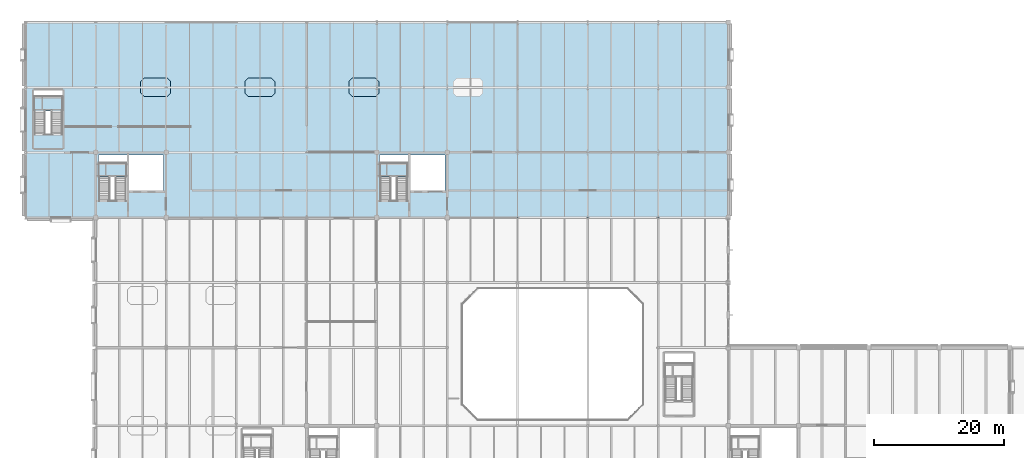
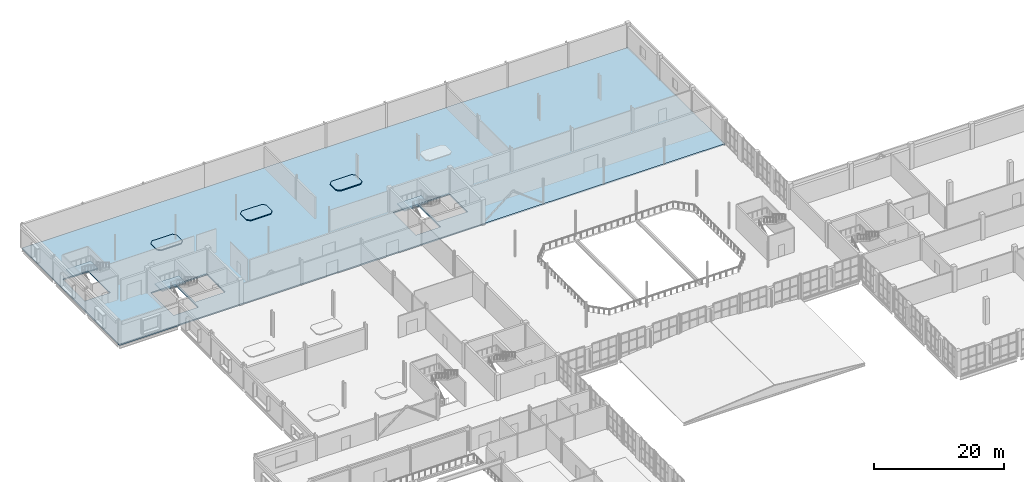
# One storey, part 61 of 92: 7 slabs, 3 elements without a shape of their own.
"""IFC4 building model written with IfcOpenShell, lengths in metres."""

from ifc_helpers import new_model, si_unit, direction, frame, origin, place, context, subcontext, project, spatial, polyline, outline, extrude, material, layer, layer_set, type_object, element, aggregate, save


model = new_model("IFC4")

# Units and contexts
model_context = context("Model", 3, precision=1e-05, world=origin(), true_north=direction((0.0, 1.0)))
body_context = subcontext(model_context, "Body", "Model", "MODEL_VIEW")
ifc_project = project(units=[si_unit("LENGTHUNIT", "METRE"), si_unit("AREAUNIT", "SQUARE_METRE"), si_unit("VOLUMEUNIT", "CUBIC_METRE"), si_unit("PLANEANGLEUNIT", "RADIAN"), si_unit("MASSUNIT", "GRAM", prefix="KILO")], contexts=[model_context])

# Site, building, storey
site_placement = place(None, origin())
site = spatial("IfcSite", under=ifc_project, at=site_placement, CompositionType="ELEMENT")
building_placement = place(site_placement, origin())
building = spatial("IfcBuilding", under=site, at=building_placement, Name="Tasgan Crest Museum", CompositionType="ELEMENT")
storey_placement = place(building_placement, frame((0.0, 0.0, 4.800048828125)))
storey = spatial("IfcBuildingStorey", under=building, at=storey_placement, Name="L01", CompositionType="ELEMENT", Elevation=4.800048828125)

# Slabs
ifc_material_1 = material(Name="Concrete C35/45", Category="concrete")
ifc_layer_1 = layer(ifc_material_1, 0.159912109375, Name="SL-DAIS-T03")
ifc_layer_set_1 = layer_set([ifc_layer_1], Name="Concrete C35/45")
slab_type_1 = type_object("IfcSlabType", Name="SL-DAIS-T03", PredefinedType="FLOOR", material=ifc_layer_set_1)
slab_1_placement = place(storey_placement, origin())
element("IfcSlab", 1, at=slab_1_placement, inside=storey, type_object=slab_type_1, Name="Exhibition specimen dais L01-13", PredefinedType="FLOOR", context=body_context, shape_type="SweptSolid", body=[
    extrude(outline(polyline([(18.199951171875, 100.60009765625), (21.800048828125, 100.60009765625), (22.300048828125, 101.10009765625), (22.300048828125, 102.89990234375), (21.800048828125, 103.39990234375), (18.199951171875, 103.39990234375), (17.699951171875, 102.89990234375), (17.699951171875, 101.10009765625), (18.199951171875, 100.60009765625)])), origin(), (0.0, 0.0, 1.0), 0.159912109375),
])
ifc_material_2 = material(Name="Concrete C35/45", Category="concrete")
ifc_layer_2 = layer(ifc_material_2, 0.169921875, Name="SL-DAIS-T04")
ifc_layer_set_2 = layer_set([ifc_layer_2], Name="Concrete C35/45")
slab_type_2 = type_object("IfcSlabType", Name="SL-DAIS-T04", PredefinedType="FLOOR", material=ifc_layer_set_2)
slab_2_placement = place(storey_placement, origin())
element("IfcSlab", 2, at=slab_2_placement, inside=storey, type_object=slab_type_2, Name="Exhibition specimen dais L01-14", PredefinedType="FLOOR", context=body_context, shape_type="SweptSolid", body=[
    extrude(outline(polyline([(34.199951171875, 100.60009765625), (37.800048828125, 100.60009765625), (38.300048828125, 101.10009765625), (38.300048828125, 102.89990234375), (37.800048828125, 103.39990234375), (34.199951171875, 103.39990234375), (33.699951171875, 102.89990234375), (33.699951171875, 101.10009765625), (34.199951171875, 100.60009765625)])), origin(), (0.0, 0.0, 1.0), 0.169921875),
])
ifc_material_3 = material(Name="Concrete C35/45", Category="concrete")
ifc_layer_3 = layer(ifc_material_3, 0.18994140625, Name="SL-DAIS-T05")
ifc_layer_set_3 = layer_set([ifc_layer_3], Name="Concrete C35/45")
slab_type_3 = type_object("IfcSlabType", Name="SL-DAIS-T05", PredefinedType="FLOOR", material=ifc_layer_set_3)
slab_3_placement = place(storey_placement, origin())
element("IfcSlab", 3, at=slab_3_placement, inside=storey, type_object=slab_type_3, Name="Exhibition specimen dais L01-15", PredefinedType="FLOOR", context=body_context, shape_type="SweptSolid", body=[
    extrude(outline(polyline([(50.199951171875, 100.60009765625), (53.800048828125, 100.60009765625), (54.300048828125, 101.10009765625), (54.300048828125, 102.89990234375), (53.800048828125, 103.39990234375), (50.199951171875, 103.39990234375), (49.699951171875, 102.89990234375), (49.699951171875, 101.10009765625), (50.199951171875, 100.60009765625)])), origin(), (0.0, 0.0, 1.0), 0.18994140625),
])
ifc_material_4 = material(Name="Concrete C35/45", Category="concrete")
ifc_layer_4 = layer(ifc_material_4, 0.239990234375, Name="SL-FLR-240")
ifc_layer_set_4 = layer_set([ifc_layer_4], Name="Concrete C35/45")
slab_type_4 = type_object("IfcSlabType", Name="SL-FLR-240", PredefinedType="FLOOR", material=ifc_layer_set_4)
slab_4_placement = place(storey_placement, frame((0.0, 0.0, -0.239990234375)))
element("IfcSlab", 4, at=slab_4_placement, inside=storey, type_object=slab_type_4, Name="Floor slab L01 V5", PredefinedType="FLOOR", context=body_context, shape_type="SweptSolid", body=[
    extrude(outline(polyline([(0.0, 82.0), (108.0, 82.0), (108.0, 112.0), (0.0, 112.0), (0.0, 82.0)]), holes=[polyline([(11.179931640625, 84.550048828125), (15.60009765625, 84.550048828125), (15.60009765625, 91.6201171875), (11.179931640625, 91.6201171875), (11.179931640625, 84.550048828125)]), polyline([(15.85009765625, 86.0), (21.219970703125, 86.0), (21.219970703125, 91.6201171875), (15.85009765625, 91.6201171875), (15.85009765625, 86.0)]), polyline([(54.3798828125, 84.550048828125), (58.800048828125, 84.550048828125), (58.800048828125, 91.6201171875), (54.3798828125, 91.6201171875), (54.3798828125, 84.550048828125)]), polyline([(59.050048828125, 86.0), (64.419921875, 86.0), (64.419921875, 91.6201171875), (59.050048828125, 91.6201171875), (59.050048828125, 86.0)]), polyline([(1.25, 94.75), (5.75, 94.75), (5.75, 101.550048828125), (1.25, 101.550048828125), (1.25, 94.75)])]), origin(), (0.0, 0.0, 1.0), 0.239990234375),
])

# Stair, slab
ifc_material_5 = material(Name="Concrete C35/45", Category="concrete")
stair_type = type_object("IfcStairType", Name="ST-CORE-48", PredefinedType="HALF_TURN_STAIR", material=ifc_material_5)
stair_1_placement = place(storey_placement, origin())
stair_1 = element("IfcStair", 5, at=stair_1_placement, inside=storey, type_object=stair_type, Name="Stair ST-NW-L01 L01", PredefinedType="HALF_TURN_STAIR")
ifc_material_6 = material(Name="Concrete C35/45", Category="concrete")
ifc_layer_5 = layer(ifc_material_6, 0.199951171875, Name="SL-LAND-200")
ifc_layer_set_5 = layer_set([ifc_layer_5], Name="Concrete C35/45")
slab_type_5 = type_object("IfcSlabType", Name="SL-LAND-200", PredefinedType="LANDING", material=ifc_layer_set_5)
slab_5_placement = place(storey_placement, frame((0.0, 0.0, 2.199951171875)))
slab_5 = element("IfcSlab", 6, at=slab_5_placement, type_object=slab_type_5, Name="ST-NW-L01 landing 1", PredefinedType="LANDING", context=body_context, shape_type="SweptSolid", body=[
    extrude(outline(polyline([(11.219970703125, 88.205078125), (15.530029296875, 88.205078125), (15.530029296875, 90.455078125), (11.219970703125, 90.455078125), (11.219970703125, 88.205078125)])), origin(), (0.0, 0.0, 1.0), 0.199951171875),
])
aggregate(stair_1, [slab_5])

stair_2_placement = place(storey_placement, origin())
stair_2 = element("IfcStair", 7, at=stair_2_placement, inside=storey, type_object=stair_type, Name="Stair ST-NC-L01 L01", PredefinedType="HALF_TURN_STAIR")
slab_6_placement = place(storey_placement, frame((0.0, 0.0, 2.199951171875)))
slab_6 = element("IfcSlab", 8, at=slab_6_placement, type_object=slab_type_5, Name="ST-NC-L01 landing 1", PredefinedType="LANDING", context=body_context, shape_type="SweptSolid", body=[
    extrude(outline(polyline([(54.419921875, 88.205078125), (58.72998046875, 88.205078125), (58.72998046875, 90.455078125), (54.419921875, 90.455078125), (54.419921875, 88.205078125)])), origin(), (0.0, 0.0, 1.0), 0.199951171875),
])
aggregate(stair_2, [slab_6])

stair_3_placement = place(storey_placement, origin())
stair_3 = element("IfcStair", 9, at=stair_3_placement, inside=storey, type_object=stair_type, Name="Stair ST-GW-L01 L01", PredefinedType="HALF_TURN_STAIR")
slab_7_placement = place(storey_placement, frame((0.0, 0.0, 2.199951171875)))
slab_7 = element("IfcSlab", 10, at=slab_7_placement, type_object=slab_type_5, Name="ST-GW-L01 landing 1", PredefinedType="LANDING", context=body_context, shape_type="SweptSolid", body=[
    extrude(outline(polyline([(1.300048828125, 98.405029296875), (5.699951171875, 98.405029296875), (5.699951171875, 100.655029296875), (1.300048828125, 100.655029296875), (1.300048828125, 98.405029296875)])), origin(), (0.0, 0.0, 1.0), 0.199951171875),
])
aggregate(stair_3, [slab_7])

save(model, "model.ifc")
